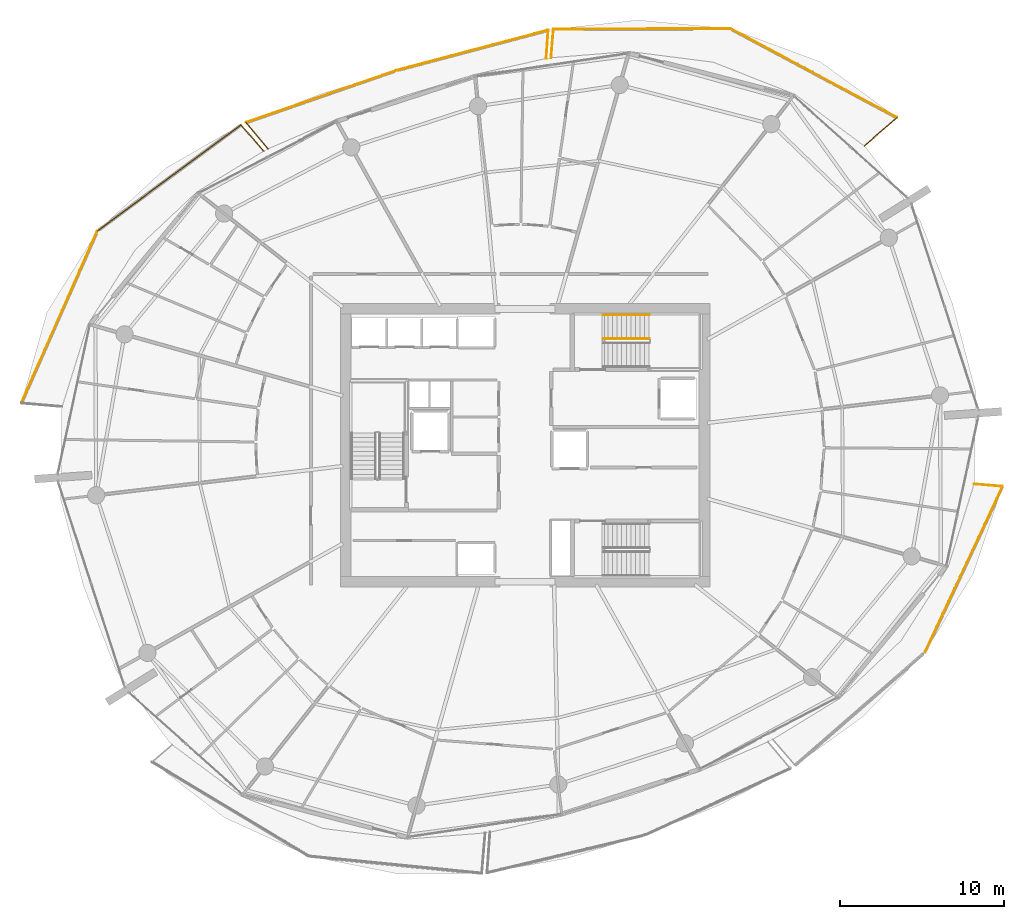
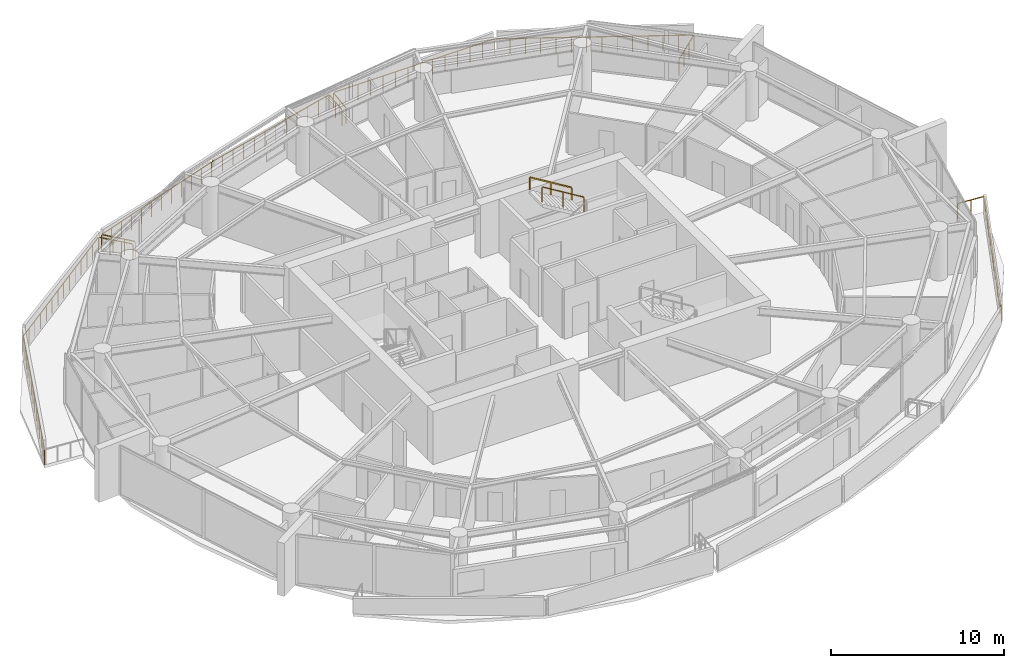
# One storey, part 19 of 19: 15 railings.
"""IFC4 building model written with IfcOpenShell, lengths in metres."""

from ifc_helpers import new_model, si_unit, direction, frame, origin, origin_2d, place, context, subcontext, project, spatial, rectangle, extrude, material, type_object, element, save


model = new_model("IFC4")

# Units and contexts
model_context = context("Model", 3, precision=1e-05, world=origin(), true_north=direction((0.0, 1.0)))
body_context = subcontext(model_context, "Body", "Model", "MODEL_VIEW")
ifc_project = project(units=[si_unit("LENGTHUNIT", "METRE"), si_unit("AREAUNIT", "SQUARE_METRE"), si_unit("VOLUMEUNIT", "CUBIC_METRE"), si_unit("PLANEANGLEUNIT", "RADIAN"), si_unit("MASSUNIT", "GRAM", prefix="KILO")], contexts=[model_context])

# Site, building, storey
site_placement = place(None, origin())
site = spatial("IfcSite", under=ifc_project, at=site_placement, CompositionType="ELEMENT")
building_placement = place(site_placement, origin())
building = spatial("IfcBuilding", under=site, at=building_placement, Name="Kazma Halo Residences", CompositionType="ELEMENT")
storey_placement = place(building_placement, frame((0.0, 0.0, 199.050048828125)))
storey = spatial("IfcBuildingStorey", under=building, at=storey_placement, Name="L50", CompositionType="ELEMENT", Elevation=199.050048828125)

# Railings
ifc_material_1 = material(Name="Aluminium AW-6063 T6 Brushed Cap Rail", Category="aluminium")
railing_type_1 = type_object("IfcRailingType", Name="RLG-BAL-CAP-1120", PredefinedType="BALUSTRADE", material=ifc_material_1)
railing_1_placement = place(storey_placement, frame((69.130126953125, 60.271240234375, 0.0)))
element("IfcRailing", 1, at=railing_1_placement, inside=storey, type_object=railing_type_1, Name="L50 NE wave balcony guard 1", PredefinedType="BALUSTRADE", context=body_context, shape_type="SweptSolid", body=[
    extrude(rectangle(XDim=0.050048828125, YDim=0.050048828125, at=origin_2d()), frame((0.0322265625, 0.02783203125, 1.09521484375), z_axis=(0.756415130874, 0.654091851184, 0.0), x_axis=(-0.654091851184, 0.756415130874, 0.0)), (0.0, 0.0, 1.0), 2.5537109375),
    extrude(rectangle(XDim=0.0400390625, YDim=0.0400390625, at=origin_2d()), origin(), (0.0, 0.0, 1.0), 1.05810546875),
    extrude(rectangle(XDim=0.0400390625, YDim=0.0400390625, at=origin_2d()), frame((0.665283203125, 0.575439453125, 0.0)), (0.0, 0.0, 1.0), 1.05810546875),
    extrude(rectangle(XDim=0.0400390625, YDim=0.0400390625, at=origin_2d()), frame((1.330810546875, 1.150634765625, 0.0)), (0.0, 0.0, 1.0), 1.05810546875),
    extrude(rectangle(XDim=0.0400390625, YDim=0.0400390625, at=origin_2d()), frame((1.99609375, 1.72607421875, 0.0)), (0.0, 0.0, 1.0), 1.05810546875),
])
railing_2_placement = place(storey_placement, frame((71.126220703125, 61.997314453125, 0.0)))
element("IfcRailing", 2, at=railing_2_placement, inside=storey, type_object=railing_type_1, Name="L50 NE wave balcony guard 2", PredefinedType="BALUSTRADE", context=body_context, shape_type="SweptSolid", body=[
    extrude(rectangle(XDim=0.050048828125, YDim=0.050048828125, at=origin_2d()), frame((-0.03759765625, 0.02001953125, 1.09521484375), z_axis=(-0.88208021815, 0.471099234502, 0.0), x_axis=(-0.471099234502, -0.88208021815, 0.0)), (0.0, 0.0, 1.0), 11.444091796875),
    extrude(rectangle(XDim=0.0400390625, YDim=0.0400390625, at=origin_2d()), origin(), (0.0, 0.0, 1.0), 1.05810546875),
    extrude(rectangle(XDim=0.0400390625, YDim=0.0400390625, at=origin_2d()), frame((-0.7822265625, 0.417724609375, 0.0)), (0.0, 0.0, 1.0), 1.05810546875),
    extrude(rectangle(XDim=0.0400390625, YDim=0.0400390625, at=origin_2d()), frame((-1.564453125, 0.835693359375, 0.0)), (0.0, 0.0, 1.0), 1.05810546875),
    extrude(rectangle(XDim=0.0400390625, YDim=0.0400390625, at=origin_2d()), frame((-2.346923828125, 1.25341796875, 0.0)), (0.0, 0.0, 1.0), 1.05810546875),
    extrude(rectangle(XDim=0.0400390625, YDim=0.0400390625, at=origin_2d()), frame((-3.129150390625, 1.671142578125, 0.0)), (0.0, 0.0, 1.0), 1.05810546875),
    extrude(rectangle(XDim=0.0400390625, YDim=0.0400390625, at=origin_2d()), frame((-3.911376953125, 2.089111328125, 0.0)), (0.0, 0.0, 1.0), 1.05810546875),
    extrude(rectangle(XDim=0.0400390625, YDim=0.0400390625, at=origin_2d()), frame((-4.693603515625, 2.5068359375, 0.0)), (0.0, 0.0, 1.0), 1.05810546875),
    extrude(rectangle(XDim=0.0400390625, YDim=0.0400390625, at=origin_2d()), frame((-5.47607421875, 2.924560546875, 0.0)), (0.0, 0.0, 1.0), 1.05810546875),
    extrude(rectangle(XDim=0.0400390625, YDim=0.0400390625, at=origin_2d()), frame((-6.25830078125, 3.34228515625, 0.0)), (0.0, 0.0, 1.0), 1.05810546875),
    extrude(rectangle(XDim=0.0400390625, YDim=0.0400390625, at=origin_2d()), frame((-7.04052734375, 3.76025390625, 0.0)), (0.0, 0.0, 1.0), 1.05810546875),
    extrude(rectangle(XDim=0.0400390625, YDim=0.0400390625, at=origin_2d()), frame((-7.82275390625, 4.177978515625, 0.0)), (0.0, 0.0, 1.0), 1.05810546875),
    extrude(rectangle(XDim=0.0400390625, YDim=0.0400390625, at=origin_2d()), frame((-8.605224609375, 4.595703125, 0.0)), (0.0, 0.0, 1.0), 1.05810546875),
    extrude(rectangle(XDim=0.0400390625, YDim=0.0400390625, at=origin_2d()), frame((-9.387451171875, 5.013671875, 0.0)), (0.0, 0.0, 1.0), 1.05810546875),
    extrude(rectangle(XDim=0.0400390625, YDim=0.0400390625, at=origin_2d()), frame((-10.169677734375, 5.431396484375, 0.0)), (0.0, 0.0, 1.0), 1.05810546875),
])
railing_3_placement = place(storey_placement, frame((60.95654296875, 67.4287109375, 0.0)))
element("IfcRailing", 3, at=railing_3_placement, inside=storey, type_object=railing_type_1, Name="L50 NE wave balcony guard 3", PredefinedType="BALUSTRADE", context=body_context, shape_type="SweptSolid", body=[
    extrude(rectangle(XDim=0.050048828125, YDim=0.050048828125, at=origin_2d()), frame((-0.04248046875, 0.0, 1.09521484375), z_axis=(-0.999995944734, -0.002847896595, 0.0), x_axis=(0.002847896595, -0.999995944734, 0.0)), (0.0, 0.0, 1.0), 10.716552734375),
    extrude(rectangle(XDim=0.0400390625, YDim=0.0400390625, at=origin_2d()), origin(), (0.0, 0.0, 1.0), 1.05810546875),
    extrude(rectangle(XDim=0.0400390625, YDim=0.0400390625, at=origin_2d()), frame((-0.830810546875, -0.00244140625, 0.0)), (0.0, 0.0, 1.0), 1.05810546875),
    extrude(rectangle(XDim=0.0400390625, YDim=0.0400390625, at=origin_2d()), frame((-1.661865234375, -0.004638671875, 0.0)), (0.0, 0.0, 1.0), 1.05810546875),
    extrude(rectangle(XDim=0.0400390625, YDim=0.0400390625, at=origin_2d()), frame((-2.49267578125, -0.007080078125, 0.0)), (0.0, 0.0, 1.0), 1.05810546875),
    extrude(rectangle(XDim=0.0400390625, YDim=0.0400390625, at=origin_2d()), frame((-3.323486328125, -0.009521484375, 0.0)), (0.0, 0.0, 1.0), 1.05810546875),
    extrude(rectangle(XDim=0.0400390625, YDim=0.0400390625, at=origin_2d()), frame((-4.154541015625, -0.01171875, 0.0)), (0.0, 0.0, 1.0), 1.05810546875),
    extrude(rectangle(XDim=0.0400390625, YDim=0.0400390625, at=origin_2d()), frame((-4.9853515625, -0.01416015625, 0.0)), (0.0, 0.0, 1.0), 1.05810546875),
    extrude(rectangle(XDim=0.0400390625, YDim=0.0400390625, at=origin_2d()), frame((-5.816162109375, -0.0166015625, 0.0)), (0.0, 0.0, 1.0), 1.05810546875),
    extrude(rectangle(XDim=0.0400390625, YDim=0.0400390625, at=origin_2d()), frame((-6.64697265625, -0.01904296875, 0.0)), (0.0, 0.0, 1.0), 1.05810546875),
    extrude(rectangle(XDim=0.0400390625, YDim=0.0400390625, at=origin_2d()), frame((-7.47802734375, -0.021240234375, 0.0)), (0.0, 0.0, 1.0), 1.05810546875),
    extrude(rectangle(XDim=0.0400390625, YDim=0.0400390625, at=origin_2d()), frame((-8.308837890625, -0.023681640625, 0.0)), (0.0, 0.0, 1.0), 1.05810546875),
    extrude(rectangle(XDim=0.0400390625, YDim=0.0400390625, at=origin_2d()), frame((-9.1396484375, -0.026123046875, 0.0)), (0.0, 0.0, 1.0), 1.05810546875),
    extrude(rectangle(XDim=0.0400390625, YDim=0.0400390625, at=origin_2d()), frame((-9.970703125, -0.0283203125, 0.0)), (0.0, 0.0, 1.0), 1.05810546875),
    extrude(rectangle(XDim=0.0400390625, YDim=0.0400390625, at=origin_2d()), frame((-10.801513671875, -0.03076171875, 0.0)), (0.0, 0.0, 1.0), 1.05810546875),
])
railing_4_placement = place(storey_placement, frame((50.155029296875, 67.39794921875, 0.0)))
element("IfcRailing", 4, at=railing_4_placement, inside=storey, type_object=railing_type_1, Name="L50 NE wave balcony guard 4", PredefinedType="BALUSTRADE", context=body_context, shape_type="SweptSolid", body=[
    extrude(rectangle(XDim=0.050048828125, YDim=0.050048828125, at=origin_2d()), frame((-0.003662109375, -0.04248046875, 1.09521484375), z_axis=(-0.08462873268, -0.996412553918, 0.0), x_axis=(0.996412553918, -0.08462873268, 0.0)), (0.0, 0.0, 1.0), 1.6630859375),
    extrude(rectangle(XDim=0.0400390625, YDim=0.0400390625, at=origin_2d()), origin(), (0.0, 0.0, 1.0), 1.05810546875),
    extrude(rectangle(XDim=0.0400390625, YDim=0.0400390625, at=origin_2d()), frame((-0.073974609375, -0.87109375, 0.0)), (0.0, 0.0, 1.0), 1.05810546875),
    extrude(rectangle(XDim=0.0400390625, YDim=0.0400390625, at=origin_2d()), frame((-0.14794921875, -1.741943359375, 0.0)), (0.0, 0.0, 1.0), 1.05810546875),
])
railing_5_placement = place(storey_placement, frame((49.713134765625, 65.612060546875, 0.0)))
element("IfcRailing", 5, at=railing_5_placement, inside=storey, type_object=railing_type_1, Name="L50 NNW wave balcony guard 1", PredefinedType="BALUSTRADE", context=body_context, shape_type="SweptSolid", body=[
    extrude(rectangle(XDim=0.050048828125, YDim=0.050048828125, at=origin_2d()), frame((0.003173828125, 0.04248046875, 1.09521484375), z_axis=(0.072380034716, 0.997377125552, 0.0), x_axis=(-0.997377125552, 0.072380034716, 0.0)), (0.0, 0.0, 1.0), 1.645263671875),
    extrude(rectangle(XDim=0.0400390625, YDim=0.0400390625, at=origin_2d()), origin(), (0.0, 0.0, 1.0), 1.05810546875),
    extrude(rectangle(XDim=0.0400390625, YDim=0.0400390625, at=origin_2d()), frame((0.0625, 0.86279296875, 0.0)), (0.0, 0.0, 1.0), 1.05810546875),
    extrude(rectangle(XDim=0.0400390625, YDim=0.0400390625, at=origin_2d()), frame((0.125244140625, 1.725830078125, 0.0)), (0.0, 0.0, 1.0), 1.05810546875),
])
railing_6_placement = place(storey_placement, frame((49.83837890625, 67.337890625, 0.0)))
element("IfcRailing", 6, at=railing_6_placement, inside=storey, type_object=railing_type_1, Name="L50 NNW wave balcony guard 2", PredefinedType="BALUSTRADE", context=body_context, shape_type="SweptSolid", body=[
    extrude(rectangle(XDim=0.050048828125, YDim=0.050048828125, at=origin_2d()), frame((-0.041015625, -0.010986328125, 1.09521484375), z_axis=(-0.966531683378, -0.256547276397, 0.0), x_axis=(0.256547276397, -0.966531683378, 0.0)), (0.0, 0.0, 1.0), 9.507568359375),
    extrude(rectangle(XDim=0.0400390625, YDim=0.0400390625, at=origin_2d()), origin(), (0.0, 0.0, 1.0), 1.05810546875),
    extrude(rectangle(XDim=0.0400390625, YDim=0.0400390625, at=origin_2d()), frame((-0.8427734375, -0.2236328125, 0.0)), (0.0, 0.0, 1.0), 1.05810546875),
    extrude(rectangle(XDim=0.0400390625, YDim=0.0400390625, at=origin_2d()), frame((-1.685791015625, -0.447509765625, 0.0)), (0.0, 0.0, 1.0), 1.05810546875),
    extrude(rectangle(XDim=0.0400390625, YDim=0.0400390625, at=origin_2d()), frame((-2.528564453125, -0.671142578125, 0.0)), (0.0, 0.0, 1.0), 1.05810546875),
    extrude(rectangle(XDim=0.0400390625, YDim=0.0400390625, at=origin_2d()), frame((-3.371337890625, -0.894775390625, 0.0)), (0.0, 0.0, 1.0), 1.05810546875),
    extrude(rectangle(XDim=0.0400390625, YDim=0.0400390625, at=origin_2d()), frame((-4.21435546875, -1.11865234375, 0.0)), (0.0, 0.0, 1.0), 1.05810546875),
    extrude(rectangle(XDim=0.0400390625, YDim=0.0400390625, at=origin_2d()), frame((-5.05712890625, -1.34228515625, 0.0)), (0.0, 0.0, 1.0), 1.05810546875),
    extrude(rectangle(XDim=0.0400390625, YDim=0.0400390625, at=origin_2d()), frame((-5.900146484375, -1.566162109375, 0.0)), (0.0, 0.0, 1.0), 1.05810546875),
    extrude(rectangle(XDim=0.0400390625, YDim=0.0400390625, at=origin_2d()), frame((-6.742919921875, -1.789794921875, 0.0)), (0.0, 0.0, 1.0), 1.05810546875),
    extrude(rectangle(XDim=0.0400390625, YDim=0.0400390625, at=origin_2d()), frame((-7.585693359375, -2.013427734375, 0.0)), (0.0, 0.0, 1.0), 1.05810546875),
    extrude(rectangle(XDim=0.0400390625, YDim=0.0400390625, at=origin_2d()), frame((-8.4287109375, -2.2373046875, 0.0)), (0.0, 0.0, 1.0), 1.05810546875),
    extrude(rectangle(XDim=0.0400390625, YDim=0.0400390625, at=origin_2d()), frame((-9.271484375, -2.4609375, 0.0)), (0.0, 0.0, 1.0), 1.05810546875),
])
railing_7_placement = place(storey_placement, frame((40.56689453125, 64.876953125, 0.0)))
element("IfcRailing", 7, at=railing_7_placement, inside=storey, type_object=railing_type_1, Name="L50 NNW wave balcony guard 3", PredefinedType="BALUSTRADE", context=body_context, shape_type="SweptSolid", body=[
    extrude(rectangle(XDim=0.050048828125, YDim=0.050048828125, at=origin_2d()), frame((-0.040283203125, -0.013916015625, 1.09521484375), z_axis=(-0.944943650986, -0.327233091941, 0.0), x_axis=(0.327233091941, -0.944943650986, 0.0)), (0.0, 0.0, 1.0), 9.632568359375),
    extrude(rectangle(XDim=0.0400390625, YDim=0.0400390625, at=origin_2d()), origin(), (0.0, 0.0, 1.0), 1.05810546875),
    extrude(rectangle(XDim=0.0400390625, YDim=0.0400390625, at=origin_2d()), frame((-0.834716796875, -0.2890625, 0.0)), (0.0, 0.0, 1.0), 1.05810546875),
    extrude(rectangle(XDim=0.0400390625, YDim=0.0400390625, at=origin_2d()), frame((-1.669677734375, -0.578125, 0.0)), (0.0, 0.0, 1.0), 1.05810546875),
    extrude(rectangle(XDim=0.0400390625, YDim=0.0400390625, at=origin_2d()), frame((-2.50439453125, -0.8671875, 0.0)), (0.0, 0.0, 1.0), 1.05810546875),
    extrude(rectangle(XDim=0.0400390625, YDim=0.0400390625, at=origin_2d()), frame((-3.339111328125, -1.15625, 0.0)), (0.0, 0.0, 1.0), 1.05810546875),
    extrude(rectangle(XDim=0.0400390625, YDim=0.0400390625, at=origin_2d()), frame((-4.173828125, -1.4453125, 0.0)), (0.0, 0.0, 1.0), 1.05810546875),
    extrude(rectangle(XDim=0.0400390625, YDim=0.0400390625, at=origin_2d()), frame((-5.0087890625, -1.734619140625, 0.0)), (0.0, 0.0, 1.0), 1.05810546875),
    extrude(rectangle(XDim=0.0400390625, YDim=0.0400390625, at=origin_2d()), frame((-5.843505859375, -2.023681640625, 0.0)), (0.0, 0.0, 1.0), 1.05810546875),
    extrude(rectangle(XDim=0.0400390625, YDim=0.0400390625, at=origin_2d()), frame((-6.67822265625, -2.312744140625, 0.0)), (0.0, 0.0, 1.0), 1.05810546875),
    extrude(rectangle(XDim=0.0400390625, YDim=0.0400390625, at=origin_2d()), frame((-7.512939453125, -2.601806640625, 0.0)), (0.0, 0.0, 1.0), 1.05810546875),
    extrude(rectangle(XDim=0.0400390625, YDim=0.0400390625, at=origin_2d()), frame((-8.347900390625, -2.890869140625, 0.0)), (0.0, 0.0, 1.0), 1.05810546875),
    extrude(rectangle(XDim=0.0400390625, YDim=0.0400390625, at=origin_2d()), frame((-9.1826171875, -3.179931640625, 0.0)), (0.0, 0.0, 1.0), 1.05810546875),
])
railing_8_placement = place(storey_placement, frame((31.38427734375, 61.697021484375, 0.0)))
element("IfcRailing", 8, at=railing_8_placement, inside=storey, type_object=railing_type_1, Name="L50 NNW wave balcony guard 4", PredefinedType="BALUSTRADE", context=body_context, shape_type="SweptSolid", body=[
    extrude(rectangle(XDim=0.050048828125, YDim=0.050048828125, at=origin_2d()), frame((0.02734375, -0.032470703125, 1.09521484375), z_axis=(0.644734794394, -0.764406334941, 0.0), x_axis=(0.764406334941, 0.644734794394, 0.0)), (0.0, 0.0, 1.0), 2.010009765625),
    extrude(rectangle(XDim=0.0400390625, YDim=0.0400390625, at=origin_2d()), origin(), (0.0, 0.0, 1.0), 1.05810546875),
    extrude(rectangle(XDim=0.0400390625, YDim=0.0400390625, at=origin_2d()), frame((0.4501953125, -0.533935546875, 0.0)), (0.0, 0.0, 1.0), 1.05810546875),
    extrude(rectangle(XDim=0.0400390625, YDim=0.0400390625, at=origin_2d()), frame((0.900634765625, -1.067626953125, 0.0)), (0.0, 0.0, 1.0), 1.05810546875),
    extrude(rectangle(XDim=0.0400390625, YDim=0.0400390625, at=origin_2d()), frame((1.350830078125, -1.6015625, 0.0)), (0.0, 0.0, 1.0), 1.05810546875),
])
railing_9_placement = place(storey_placement, frame((32.471435546875, 59.958251953125, 0.0)))
element("IfcRailing", 9, at=railing_9_placement, inside=storey, type_object=railing_type_1, Name="L50 NW wave balcony guard 1", PredefinedType="BALUSTRADE", context=body_context, shape_type="SweptSolid", body=[
    extrude(rectangle(XDim=0.050048828125, YDim=0.050048828125, at=origin_2d()), frame((-0.02783203125, 0.0322265625, 1.09521484375), z_axis=(-0.654087786706, 0.756418645514, 0.0), x_axis=(-0.756418645514, -0.654087786706, 0.0)), (0.0, 0.0, 1.0), 2.033447265625),
    extrude(rectangle(XDim=0.0400390625, YDim=0.0400390625, at=origin_2d()), origin(), (0.0, 0.0, 1.0), 1.05810546875),
    extrude(rectangle(XDim=0.0400390625, YDim=0.0400390625, at=origin_2d()), frame((-0.4619140625, 0.5341796875, 0.0)), (0.0, 0.0, 1.0), 1.05810546875),
    extrude(rectangle(XDim=0.0400390625, YDim=0.0400390625, at=origin_2d()), frame((-0.923828125, 1.068359375, 0.0)), (0.0, 0.0, 1.0), 1.05810546875),
    extrude(rectangle(XDim=0.0400390625, YDim=0.0400390625, at=origin_2d()), frame((-1.3857421875, 1.6025390625, 0.0)), (0.0, 0.0, 1.0), 1.05810546875),
])
railing_10_placement = place(storey_placement, frame((31.085693359375, 61.560791015625, 0.0)))
element("IfcRailing", 10, at=railing_10_placement, inside=storey, type_object=railing_type_1, Name="L50 NW wave balcony guard 2", PredefinedType="BALUSTRADE", context=body_context, shape_type="SweptSolid", body=[
    extrude(rectangle(XDim=0.050048828125, YDim=0.050048828125, at=origin_2d()), frame((-0.0341796875, -0.025390625, 1.09521484375), z_axis=(-0.804264589015, -0.594271378123, 0.0), x_axis=(0.594271378123, -0.804264589015, 0.0)), (0.0, 0.0, 1.0), 10.813232421875),
    extrude(rectangle(XDim=0.0400390625, YDim=0.0400390625, at=origin_2d()), origin(), (0.0, 0.0, 1.0), 1.05810546875),
    extrude(rectangle(XDim=0.0400390625, YDim=0.0400390625, at=origin_2d()), frame((-0.67431640625, -0.498291015625, 0.0)), (0.0, 0.0, 1.0), 1.05810546875),
    extrude(rectangle(XDim=0.0400390625, YDim=0.0400390625, at=origin_2d()), frame((-1.348388671875, -0.996337890625, 0.0)), (0.0, 0.0, 1.0), 1.05810546875),
    extrude(rectangle(XDim=0.0400390625, YDim=0.0400390625, at=origin_2d()), frame((-2.022705078125, -1.49462890625, 0.0)), (0.0, 0.0, 1.0), 1.05810546875),
    extrude(rectangle(XDim=0.0400390625, YDim=0.0400390625, at=origin_2d()), frame((-2.697021484375, -1.99267578125, 0.0)), (0.0, 0.0, 1.0), 1.05810546875),
    extrude(rectangle(XDim=0.0400390625, YDim=0.0400390625, at=origin_2d()), frame((-3.37109375, -2.490966796875, 0.0)), (0.0, 0.0, 1.0), 1.05810546875),
    extrude(rectangle(XDim=0.0400390625, YDim=0.0400390625, at=origin_2d()), frame((-4.04541015625, -2.9892578125, 0.0)), (0.0, 0.0, 1.0), 1.05810546875),
    extrude(rectangle(XDim=0.0400390625, YDim=0.0400390625, at=origin_2d()), frame((-4.7197265625, -3.4873046875, 0.0)), (0.0, 0.0, 1.0), 1.05810546875),
    extrude(rectangle(XDim=0.0400390625, YDim=0.0400390625, at=origin_2d()), frame((-5.39404296875, -3.985595703125, 0.0)), (0.0, 0.0, 1.0), 1.05810546875),
    extrude(rectangle(XDim=0.0400390625, YDim=0.0400390625, at=origin_2d()), frame((-6.068115234375, -4.48388671875, 0.0)), (0.0, 0.0, 1.0), 1.05810546875),
    extrude(rectangle(XDim=0.0400390625, YDim=0.0400390625, at=origin_2d()), frame((-6.742431640625, -4.98193359375, 0.0)), (0.0, 0.0, 1.0), 1.05810546875),
    extrude(rectangle(XDim=0.0400390625, YDim=0.0400390625, at=origin_2d()), frame((-7.416748046875, -5.480224609375, 0.0)), (0.0, 0.0, 1.0), 1.05810546875),
    extrude(rectangle(XDim=0.0400390625, YDim=0.0400390625, at=origin_2d()), frame((-8.0908203125, -5.978271484375, 0.0)), (0.0, 0.0, 1.0), 1.05810546875),
    extrude(rectangle(XDim=0.0400390625, YDim=0.0400390625, at=origin_2d()), frame((-8.76513671875, -6.4765625, 0.0)), (0.0, 0.0, 1.0), 1.05810546875),
])
railing_11_placement = place(storey_placement, frame((22.320556640625, 55.084228515625, 0.0)))
element("IfcRailing", 11, at=railing_11_placement, inside=storey, type_object=railing_type_1, Name="L50 NW wave balcony guard 3", PredefinedType="BALUSTRADE", context=body_context, shape_type="SweptSolid", body=[
    extrude(rectangle(XDim=0.050048828125, YDim=0.050048828125, at=origin_2d()), frame((-0.01708984375, -0.038818359375, 1.09521484375), z_axis=(-0.403759476519, -0.914865173193, 0.0), x_axis=(0.914865173193, -0.403759476519, 0.0)), (0.0, 0.0, 1.0), 11.40478515625),
    extrude(rectangle(XDim=0.0400390625, YDim=0.0400390625, at=origin_2d()), origin(), (0.0, 0.0, 1.0), 1.05810546875),
    extrude(rectangle(XDim=0.0400390625, YDim=0.0400390625, at=origin_2d()), frame((-0.35693359375, -0.80859375, 0.0)), (0.0, 0.0, 1.0), 1.05810546875),
    extrude(rectangle(XDim=0.0400390625, YDim=0.0400390625, at=origin_2d()), frame((-0.713623046875, -1.6171875, 0.0)), (0.0, 0.0, 1.0), 1.05810546875),
    extrude(rectangle(XDim=0.0400390625, YDim=0.0400390625, at=origin_2d()), frame((-1.070556640625, -2.42578125, 0.0)), (0.0, 0.0, 1.0), 1.05810546875),
    extrude(rectangle(XDim=0.0400390625, YDim=0.0400390625, at=origin_2d()), frame((-1.427490234375, -3.234375, 0.0)), (0.0, 0.0, 1.0), 1.05810546875),
    extrude(rectangle(XDim=0.0400390625, YDim=0.0400390625, at=origin_2d()), frame((-1.7841796875, -4.04296875, 0.0)), (0.0, 0.0, 1.0), 1.05810546875),
    extrude(rectangle(XDim=0.0400390625, YDim=0.0400390625, at=origin_2d()), frame((-2.14111328125, -4.8515625, 0.0)), (0.0, 0.0, 1.0), 1.05810546875),
    extrude(rectangle(XDim=0.0400390625, YDim=0.0400390625, at=origin_2d()), frame((-2.498046875, -5.66015625, 0.0)), (0.0, 0.0, 1.0), 1.05810546875),
    extrude(rectangle(XDim=0.0400390625, YDim=0.0400390625, at=origin_2d()), frame((-2.85498046875, -6.46875, 0.0)), (0.0, 0.0, 1.0), 1.05810546875),
    extrude(rectangle(XDim=0.0400390625, YDim=0.0400390625, at=origin_2d()), frame((-3.211669921875, -7.27734375, 0.0)), (0.0, 0.0, 1.0), 1.05810546875),
    extrude(rectangle(XDim=0.0400390625, YDim=0.0400390625, at=origin_2d()), frame((-3.568603515625, -8.0859375, 0.0)), (0.0, 0.0, 1.0), 1.05810546875),
    extrude(rectangle(XDim=0.0400390625, YDim=0.0400390625, at=origin_2d()), frame((-3.925537109375, -8.89453125, 0.0)), (0.0, 0.0, 1.0), 1.05810546875),
    extrude(rectangle(XDim=0.0400390625, YDim=0.0400390625, at=origin_2d()), frame((-4.2822265625, -9.703125, 0.0)), (0.0, 0.0, 1.0), 1.05810546875),
    extrude(rectangle(XDim=0.0400390625, YDim=0.0400390625, at=origin_2d()), frame((-4.63916015625, -10.51171875, 0.0)), (0.0, 0.0, 1.0), 1.05810546875),
])
railing_12_placement = place(storey_placement, frame((72.8232421875, 29.351806640625, 0.0)))
element("IfcRailing", 12, at=railing_12_placement, inside=storey, type_object=railing_type_1, Name="L50 SE wave balcony guard 3", PredefinedType="BALUSTRADE", context=body_context, shape_type="SweptSolid", body=[
    extrude(rectangle(XDim=0.050048828125, YDim=0.050048828125, at=origin_2d()), frame((0.01806640625, 0.03857421875, 1.09521484375), z_axis=(0.424188601935, 0.90557386777, 0.0), x_axis=(-0.90557386777, 0.424188601935, 0.0)), (0.0, 0.0, 1.0), 11.111083984375),
    extrude(rectangle(XDim=0.0400390625, YDim=0.0400390625, at=origin_2d()), origin(), (0.0, 0.0, 1.0), 1.05810546875),
    extrude(rectangle(XDim=0.0400390625, YDim=0.0400390625, at=origin_2d()), frame((0.365234375, 0.780029296875, 0.0)), (0.0, 0.0, 1.0), 1.05810546875),
    extrude(rectangle(XDim=0.0400390625, YDim=0.0400390625, at=origin_2d()), frame((0.730712890625, 1.559814453125, 0.0)), (0.0, 0.0, 1.0), 1.05810546875),
    extrude(rectangle(XDim=0.0400390625, YDim=0.0400390625, at=origin_2d()), frame((1.095947265625, 2.33984375, 0.0)), (0.0, 0.0, 1.0), 1.05810546875),
    extrude(rectangle(XDim=0.0400390625, YDim=0.0400390625, at=origin_2d()), frame((1.46142578125, 3.11962890625, 0.0)), (0.0, 0.0, 1.0), 1.05810546875),
    extrude(rectangle(XDim=0.0400390625, YDim=0.0400390625, at=origin_2d()), frame((1.82666015625, 3.899658203125, 0.0)), (0.0, 0.0, 1.0), 1.05810546875),
    extrude(rectangle(XDim=0.0400390625, YDim=0.0400390625, at=origin_2d()), frame((2.19189453125, 4.679443359375, 0.0)), (0.0, 0.0, 1.0), 1.05810546875),
    extrude(rectangle(XDim=0.0400390625, YDim=0.0400390625, at=origin_2d()), frame((2.557373046875, 5.45947265625, 0.0)), (0.0, 0.0, 1.0), 1.05810546875),
    extrude(rectangle(XDim=0.0400390625, YDim=0.0400390625, at=origin_2d()), frame((2.922607421875, 6.2392578125, 0.0)), (0.0, 0.0, 1.0), 1.05810546875),
    extrude(rectangle(XDim=0.0400390625, YDim=0.0400390625, at=origin_2d()), frame((3.287841796875, 7.019287109375, 0.0)), (0.0, 0.0, 1.0), 1.05810546875),
    extrude(rectangle(XDim=0.0400390625, YDim=0.0400390625, at=origin_2d()), frame((3.6533203125, 7.799072265625, 0.0)), (0.0, 0.0, 1.0), 1.05810546875),
    extrude(rectangle(XDim=0.0400390625, YDim=0.0400390625, at=origin_2d()), frame((4.0185546875, 8.5791015625, 0.0)), (0.0, 0.0, 1.0), 1.05810546875),
    extrude(rectangle(XDim=0.0400390625, YDim=0.0400390625, at=origin_2d()), frame((4.384033203125, 9.35888671875, 0.0)), (0.0, 0.0, 1.0), 1.05810546875),
    extrude(rectangle(XDim=0.0400390625, YDim=0.0400390625, at=origin_2d()), frame((4.749267578125, 10.138916015625, 0.0)), (0.0, 0.0, 1.0), 1.05810546875),
])
railing_13_placement = place(storey_placement, frame((77.572509765625, 39.49072265625, 0.0)))
element("IfcRailing", 13, at=railing_13_placement, inside=storey, type_object=railing_type_1, Name="L50 SE wave balcony guard 4", PredefinedType="BALUSTRADE", context=body_context, shape_type="SweptSolid", body=[
    extrude(rectangle(XDim=0.050048828125, YDim=0.050048828125, at=origin_2d()), frame((-0.04248046875, 0.003662109375, 1.09521484375), z_axis=(-0.996421116344, 0.084527858746, 0.0), x_axis=(-0.084527858746, -0.996421116344, 0.0)), (0.0, 0.0, 1.0), 1.659423828125),
    extrude(rectangle(XDim=0.0400390625, YDim=0.0400390625, at=origin_2d()), origin(), (0.0, 0.0, 1.0), 1.05810546875),
    extrude(rectangle(XDim=0.0400390625, YDim=0.0400390625, at=origin_2d()), frame((-0.869140625, 0.07373046875, 0.0)), (0.0, 0.0, 1.0), 1.05810546875),
    extrude(rectangle(XDim=0.0400390625, YDim=0.0400390625, at=origin_2d()), frame((-1.73828125, 0.1474609375, 0.0)), (0.0, 0.0, 1.0), 1.05810546875),
])
ifc_material_2 = material(Name="Painted Steel S355", Category="steel")
railing_type_2 = type_object("IfcRailingType", Name="RLG-STAIR-GRD-1100", PredefinedType="GUARDRAIL", material=ifc_material_2)
railing_14_placement = place(storey_placement, frame((56.0, 48.5, 2.04541015625)))
element("IfcRailing", 14, at=railing_14_placement, inside=storey, type_object=railing_type_2, Name="L50 ST-02 stair guard 3", PredefinedType="GUARDRAIL", context=body_context, shape_type="SweptSolid", body=[
    extrude(rectangle(XDim=0.050048828125, YDim=0.050048828125, at=origin_2d()), frame((-0.036376953125, 0.0, 1.09716796875), z_axis=(-0.854169791009, 0.0, 0.51999420009), x_axis=(0.0, -1.0, 0.0)), (0.0, 0.0, 1.0), 3.193115234375),
    extrude(rectangle(XDim=0.0400390625, YDim=0.0400390625, at=origin_2d()), origin(), (0.0, 0.0, 1.0), 1.0380859375),
    extrude(rectangle(XDim=0.0400390625, YDim=0.0400390625, at=origin_2d()), frame((-1.39990234375, 0.0, 0.852294921875)), (0.0, 0.0, 1.0), 1.0380859375),
    extrude(rectangle(XDim=0.0400390625, YDim=0.0400390625, at=origin_2d()), frame((-2.800048828125, 0.0, 1.70458984375)), (0.0, 0.0, 1.0), 1.0380859375),
])
ifc_material_3 = material(Name="Brushed Stainless Steel", Category="steel")
railing_type_3 = type_object("IfcRailingType", Name="RLG-STAIR-HND-900", PredefinedType="HANDRAIL", material=ifc_material_3)
railing_15_placement = place(storey_placement, frame((56.0, 49.949951171875, 2.04541015625)))
element("IfcRailing", 15, at=railing_15_placement, inside=storey, type_object=railing_type_3, Name="L50 ST-02 stair handrail 2", PredefinedType="HANDRAIL", context=body_context, shape_type="SweptSolid", body=[
    extrude(rectangle(XDim=0.050048828125, YDim=0.050048828125, at=origin_2d()), frame((-0.036376953125, 0.0, 0.89697265625), z_axis=(-0.854169791009, 0.0, 0.51999420009), x_axis=(0.0, -1.0, 0.0)), (0.0, 0.0, 1.0), 3.193115234375),
    extrude(rectangle(XDim=0.0400390625, YDim=0.0400390625, at=origin_2d()), origin(), (0.0, 0.0, 1.0), 0.837890625),
    extrude(rectangle(XDim=0.0400390625, YDim=0.0400390625, at=origin_2d()), frame((-1.39990234375, 0.0, 0.852294921875)), (0.0, 0.0, 1.0), 0.837890625),
    extrude(rectangle(XDim=0.0400390625, YDim=0.0400390625, at=origin_2d()), frame((-2.800048828125, 0.0, 1.70458984375)), (0.0, 0.0, 1.0), 0.837890625),
])

save(model, "model.ifc")
